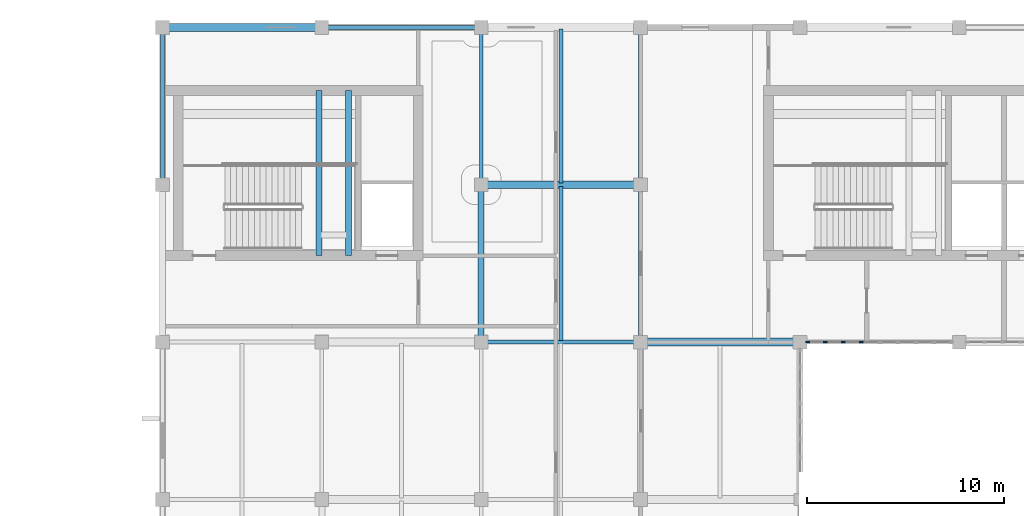
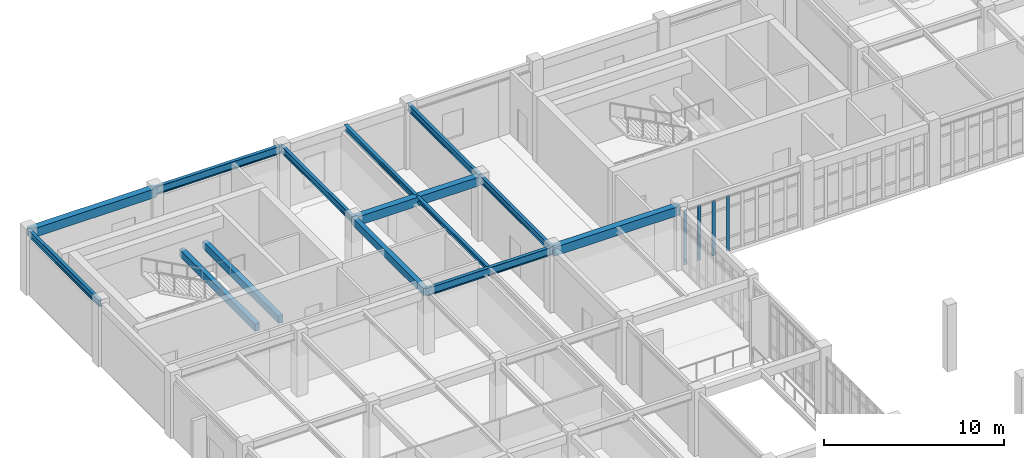
# One storey, part 13 of 67: 14 beams, 4 members, 1 element without a shape of its own.
"""IFC4 building model written with IfcOpenShell, lengths in metres."""

from ifc_helpers import new_model, si_unit, direction, frame, origin, origin_2d, place, context, subcontext, project, spatial, rectangle, i_section, extrude, material, material_profile, profile_set, type_object, element, aggregate, save


model = new_model("IFC4")

# Units and contexts
model_context = context("Model", 3, precision=1e-05, world=origin(), true_north=direction((0.0, 1.0)))
body_context = subcontext(model_context, "Body", "Model", "MODEL_VIEW")
ifc_project = project(units=[si_unit("LENGTHUNIT", "METRE"), si_unit("AREAUNIT", "SQUARE_METRE"), si_unit("VOLUMEUNIT", "CUBIC_METRE"), si_unit("PLANEANGLEUNIT", "RADIAN"), si_unit("MASSUNIT", "GRAM", prefix="KILO")], contexts=[model_context])

# Site, building, storey
site_placement = place(None, origin())
site = spatial("IfcSite", under=ifc_project, at=site_placement, CompositionType="ELEMENT")
building_placement = place(site_placement, origin())
building = spatial("IfcBuilding", under=site, at=building_placement, Name="Tarnveldt Square Police Headquarters", CompositionType="ELEMENT")
storey_placement = place(building_placement, frame((0.0, 0.0, 10.199951171875)))
storey = spatial("IfcBuildingStorey", under=building, at=storey_placement, Name="L02", CompositionType="ELEMENT", Elevation=10.199951171875)

# Beams
ifc_material_1 = material(Name="Concrete 40 MPa", Category="concrete")
ifc_material_profile_1 = material_profile(ifc_material_1, rectangle(XDim=0.300048828125, YDim=0.5, at=origin_2d()), Name="RC-B300x500")
ifc_profile_set_1 = profile_set([ifc_material_profile_1], Name="Concrete 40 MPa")
beam_type_1 = type_object("IfcBeamType", Name="BM-RC300x500", PredefinedType="BEAM", material=ifc_profile_set_1)
for number, where, z_axis, x_axis, name in (
    (1, (24.14990234375, 100.39990234375, 1.800048828125), (0.0, 1.0, 0.0), (-1.0, 0.0, 0.0), "ST2 L02 Half-Landing Support Beam 1"),
    (2, (25.64990234375, 100.39990234375, 1.800048828125), (0.0, 1.0, 0.0), (-1.0, 0.0, 0.0), "ST2 L02 Half-Landing Transverse Support Beam"),
):
    element("IfcBeam", number, at=place(storey_placement, frame(where, z_axis=z_axis, x_axis=x_axis)), inside=storey, type_object=beam_type_1, Name=name, PredefinedType="BEAM", context=body_context, shape_type="SweptSolid", body=[
        extrude(rectangle(XDim=0.300048828125, YDim=0.5, at=origin_2d()), origin(), (0.0, 0.0, 1.0), 8.400146484375),
    ])
beam_1_placement = place(storey_placement, frame((32.39990234375, 96.0, 3.989990234375), z_axis=(0.0, 1.0, 0.0), x_axis=(-1.0, 0.0, 0.0)))
element("IfcBeam", 3, at=beam_1_placement, inside=storey, type_object=beam_type_1, Name="L03 Grid Girder Y-0763", PredefinedType="BEAM", context=body_context, shape_type="SweptSolid", body=[
    extrude(rectangle(XDim=0.300048828125, YDim=0.5, at=origin_2d()), origin(), (0.0, 0.0, 1.0), 8.0),
])
ifc_material_profile_2 = material_profile(ifc_material_1, rectangle(XDim=0.39990234375, YDim=0.60009765625, at=origin_2d()), Name="RC-B400x600")
ifc_profile_set_2 = profile_set([ifc_material_profile_2], Name="Concrete 40 MPa")
beam_type_2 = type_object("IfcBeamType", Name="BM-RC400x600", PredefinedType="BEAM", material=ifc_profile_set_2)
for number, where, z_axis, x_axis, name in (
    (4, (40.5, 96.0, 3.93994140625), (1.0, 0.0, 0.0), (0.0, 1.0, 0.0), "L03 Grid Girder X-0712"),
    (5, (32.39990234375, 104.0, 3.93994140625), (1.0, 0.0, 0.0), (0.0, 1.0, 0.0), "L03 Grid Girder X-0722"),
    (6, (16.199951171875, 112.0, 3.93994140625), (1.0, 0.0, 0.0), (0.0, 1.0, 0.0), "L03 Grid Girder X-0728"),
):
    element("IfcBeam", number, at=place(storey_placement, frame(where, z_axis=z_axis, x_axis=x_axis)), inside=storey, type_object=beam_type_2, Name=name, PredefinedType="BEAM", context=body_context, shape_type="SweptSolid", body=[
        extrude(rectangle(XDim=0.39990234375, YDim=0.60009765625, at=origin_2d()), origin(), (0.0, 0.0, 1.0), 8.10009765625),
    ])
ifc_material_2 = material(Name="Steel 350W", Category="steel")
ifc_material_profile_3 = material_profile(ifc_material_2, i_section(OverallWidth=0.202880859375, OverallDepth=0.302978515625, WebThickness=0.007568359375, FlangeThickness=0.01318359375, FilletRadius=0.014892578125, at=origin_2d()), Name="W310x60")
ifc_profile_set_3 = profile_set([ifc_material_profile_3], Name="Steel 350W")
beam_type_3 = type_object("IfcBeamType", Name="BM-W310x60", PredefinedType="JOIST", material=ifc_profile_set_3)
beam_2_placement = place(storey_placement, frame((36.449951171875, 96.080078125, 4.088623046875), z_axis=(0.0, 1.0, 0.0), x_axis=(-1.0, 0.0, 0.0)))
element("IfcBeam", 7, at=beam_2_placement, inside=storey, type_object=beam_type_3, Name="L03 Secondary Floor Joist 0168", PredefinedType="JOIST", context=body_context, shape_type="SweptSolid", body=[
    extrude(i_section(OverallWidth=0.202880859375, OverallDepth=0.302978515625, WebThickness=0.007568359375, FlangeThickness=0.01318359375, FilletRadius=0.014892578125, at=origin_2d()), origin(), (0.0, 0.0, 1.0), 7.83984375),
])
ifc_material_profile_4 = material_profile(ifc_material_2, i_section(OverallWidth=0.205078125, OverallDepth=0.35400390625, WebThickness=0.009521484375, FlangeThickness=0.016845703125, FilletRadius=0.01611328125, at=origin_2d()), Name="W360x79")
ifc_profile_set_4 = profile_set([ifc_material_profile_4], Name="Steel 350W")
beam_type_4 = type_object("IfcBeamType", Name="BM-W360x79", PredefinedType="JOIST", material=ifc_profile_set_4)
beam_3_placement = place(storey_placement, frame((36.449951171875, 104.080078125, 4.06298828125), z_axis=(0.0, 1.0, 0.0), x_axis=(-1.0, 0.0, 0.0)))
element("IfcBeam", 8, at=beam_3_placement, inside=storey, type_object=beam_type_4, Name="L03 Secondary Floor Joist 0174", PredefinedType="JOIST", context=body_context, shape_type="SweptSolid", body=[
    extrude(i_section(OverallWidth=0.205078125, OverallDepth=0.35400390625, WebThickness=0.009521484375, FlangeThickness=0.016845703125, FilletRadius=0.01611328125, at=origin_2d()), origin(), (0.0, 0.0, 1.0), 7.83984375),
])
ifc_material_profile_5 = material_profile(ifc_material_2, i_section(OverallWidth=0.19189453125, OverallDepth=0.462890625, WebThickness=0.010498046875, FlangeThickness=0.017578125, FilletRadius=0.01806640625, at=origin_2d()), Name="W460x89")
ifc_profile_set_5 = profile_set([ifc_material_profile_5], Name="Steel 350W")
beam_type_5 = type_object("IfcBeamType", Name="BM-W460x89", PredefinedType="BEAM", material=ifc_profile_set_5)
for number, where, z_axis, x_axis, name in (
    (9, (16.199951171875, 104.0, 4.008544921875), (0.0, 1.0, 0.0), (-1.0, 0.0, 0.0), "L03 Grid Girder Y-0749"),
    (10, (32.39990234375, 104.0, 4.008544921875), (0.0, 1.0, 0.0), (-1.0, 0.0, 0.0), "L03 Grid Girder Y-0764"),
    (11, (40.5, 96.0, 4.008544921875), (0.0, 1.0, 0.0), (-1.0, 0.0, 0.0), "L03 Grid Girder Y-0773"),
    (12, (40.5, 104.0, 4.008544921875), (0.0, 1.0, 0.0), (-1.0, 0.0, 0.0), "L03 Grid Girder Y-0774"),
):
    element("IfcBeam", number, at=place(storey_placement, frame(where, z_axis=z_axis, x_axis=x_axis)), inside=storey, type_object=beam_type_5, Name=name, PredefinedType="BEAM", context=body_context, shape_type="SweptSolid", body=[
        extrude(i_section(OverallWidth=0.19189453125, OverallDepth=0.462890625, WebThickness=0.010498046875, FlangeThickness=0.017578125, FilletRadius=0.01806640625, at=origin_2d()), origin(), (0.0, 0.0, 1.0), 8.0),
    ])
ifc_material_profile_6 = material_profile(ifc_material_2, i_section(OverallWidth=0.208984375, OverallDepth=0.532958984375, WebThickness=0.01025390625, FlangeThickness=0.015625, FilletRadius=0.01904296875, at=origin_2d()), Name="W530x92")
ifc_profile_set_6 = profile_set([ifc_material_profile_6], Name="Steel 350W")
beam_type_6 = type_object("IfcBeamType", Name="BM-W530x92", PredefinedType="BEAM", material=ifc_profile_set_6)
beam_4_placement = place(storey_placement, frame((32.39990234375, 96.0, 3.9736328125), z_axis=(1.0, 0.0, 0.0), x_axis=(0.0, 1.0, 0.0)))
element("IfcBeam", 13, at=beam_4_placement, inside=storey, type_object=beam_type_6, Name="L03 Grid Girder X-0711", PredefinedType="BEAM", context=body_context, shape_type="SweptSolid", body=[
    extrude(i_section(OverallWidth=0.208984375, OverallDepth=0.532958984375, WebThickness=0.01025390625, FlangeThickness=0.015625, FilletRadius=0.01904296875, at=origin_2d()), origin(), (0.0, 0.0, 1.0), 8.10009765625),
])
beam_5_placement = place(storey_placement, frame((24.300048828125, 112.0, 3.9736328125), z_axis=(1.0, 0.0, 0.0), x_axis=(0.0, 1.0, 0.0)))
element("IfcBeam", 14, at=beam_5_placement, inside=storey, type_object=beam_type_6, Name="L03 Grid Girder X-0729", PredefinedType="BEAM", context=body_context, shape_type="SweptSolid", body=[
    extrude(i_section(OverallWidth=0.208984375, OverallDepth=0.532958984375, WebThickness=0.01025390625, FlangeThickness=0.015625, FilletRadius=0.01904296875, at=origin_2d()), origin(), (0.0, 0.0, 1.0), 8.099853515625),
])

# Curtain wall, members
ifc_material_3 = material(Name="Triple-glazed low-e laminated vision glass", Category="glass")
curtain_wall_type = type_object("IfcCurtainWallType", Name="CW-LB-737x370", PredefinedType="USERDEFINED", material=ifc_material_3)
curtain_wall_placement = place(storey_placement, origin())
curtain_wall = element("IfcCurtainWall", 15, at=curtain_wall_placement, inside=storey, type_object=curtain_wall_type, Name="L02 Curtain Wall CW-L02-112", ObjectType="GLAZED CURTAIN WALL", PredefinedType="USERDEFINED")
ifc_material_4 = material(Name="Thermally broken anodised aluminium 6063-T6", Category="aluminium")
ifc_material_profile_7 = material_profile(ifc_material_4, rectangle(XDim=0.074951171875, YDim=0.199951171875, at=origin_2d()), Name="CW-M75x200")
ifc_profile_set_7 = profile_set([ifc_material_profile_7], Name="Thermally broken anodised aluminium 6063-T6")
member_type = type_object("IfcMemberType", Name="CWM-75x200", PredefinedType="MULLION", material=ifc_profile_set_7)
member_1_placement = place(storey_placement, frame((49.00244140625, 96.0, 0.0), z_axis=(0.0, 0.0, 1.0), x_axis=(0.0, 1.0, 0.0)))
member_1 = element("IfcMember", 16, at=member_1_placement, type_object=member_type, Name="CW-LB65 mullion 1", PredefinedType="MULLION", context=body_context, shape_type="SweptSolid", body=[
    extrude(rectangle(XDim=0.074951171875, YDim=0.199951171875, at=origin_2d()), origin(), (0.0, 0.0, 1.0), 3.698974609375),
])
member_2_placement = place(storey_placement, frame((49.88623046875, 96.0, 0.0), z_axis=(0.0, 0.0, 1.0), x_axis=(0.0, 1.0, 0.0)))
member_2 = element("IfcMember", 17, at=member_2_placement, type_object=member_type, Name="CW-LB65 mullion 2", PredefinedType="MULLION", context=body_context, shape_type="SweptSolid", body=[
    extrude(rectangle(XDim=0.074951171875, YDim=0.199951171875, at=origin_2d()), origin(), (0.0, 0.0, 1.0), 3.698974609375),
])
member_3_placement = place(storey_placement, frame((50.8076171875, 96.0, 0.0), z_axis=(0.0, 0.0, 1.0), x_axis=(0.0, 1.0, 0.0)))
member_3 = element("IfcMember", 18, at=member_3_placement, type_object=member_type, Name="CW-LB65 mullion 3", PredefinedType="MULLION", context=body_context, shape_type="SweptSolid", body=[
    extrude(rectangle(XDim=0.074951171875, YDim=0.199951171875, at=origin_2d()), origin(), (0.0, 0.0, 1.0), 3.698974609375),
])
member_4_placement = place(storey_placement, frame((51.728759765625, 96.0, 0.0), z_axis=(0.0, 0.0, 1.0), x_axis=(0.0, 1.0, 0.0)))
member_4 = element("IfcMember", 19, at=member_4_placement, type_object=member_type, Name="CW-LB65 mullion 4", PredefinedType="MULLION", context=body_context, shape_type="SweptSolid", body=[
    extrude(rectangle(XDim=0.074951171875, YDim=0.199951171875, at=origin_2d()), origin(), (0.0, 0.0, 1.0), 3.698974609375),
])
aggregate(curtain_wall, [member_1, member_2, member_3, member_4])

save(model, "model.ifc")
